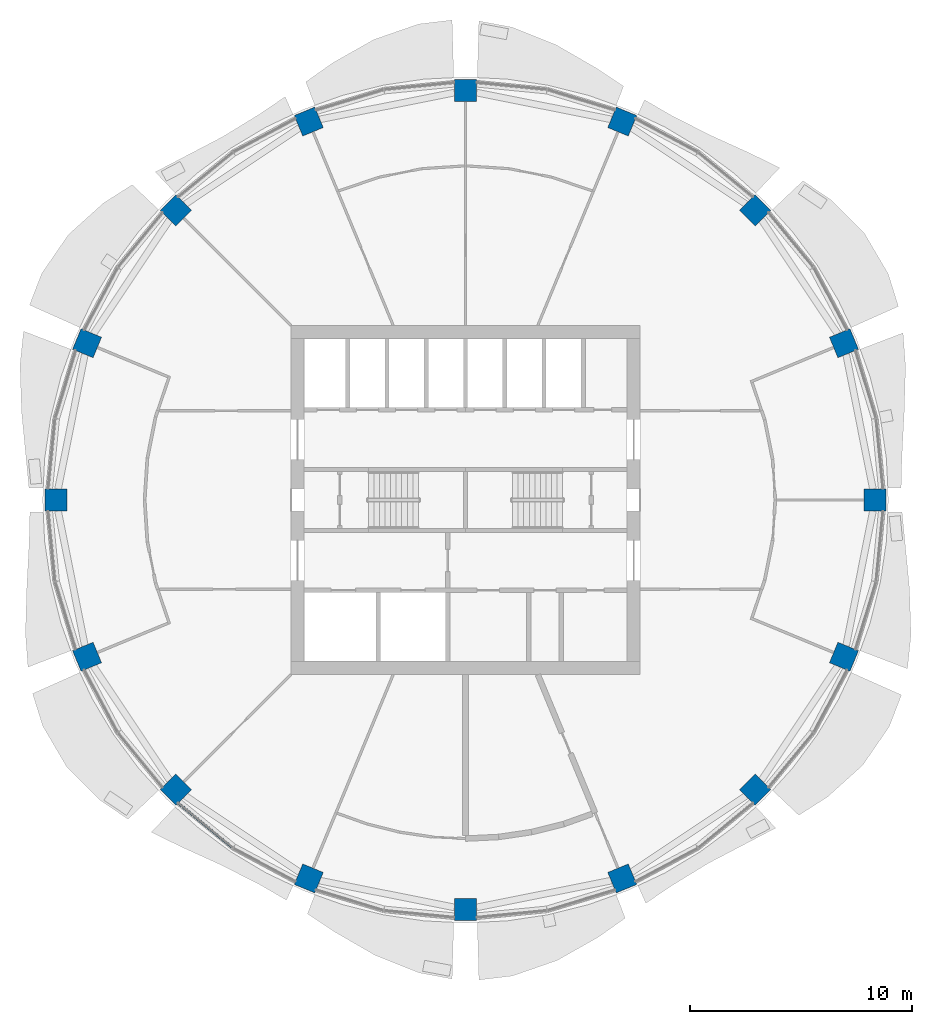
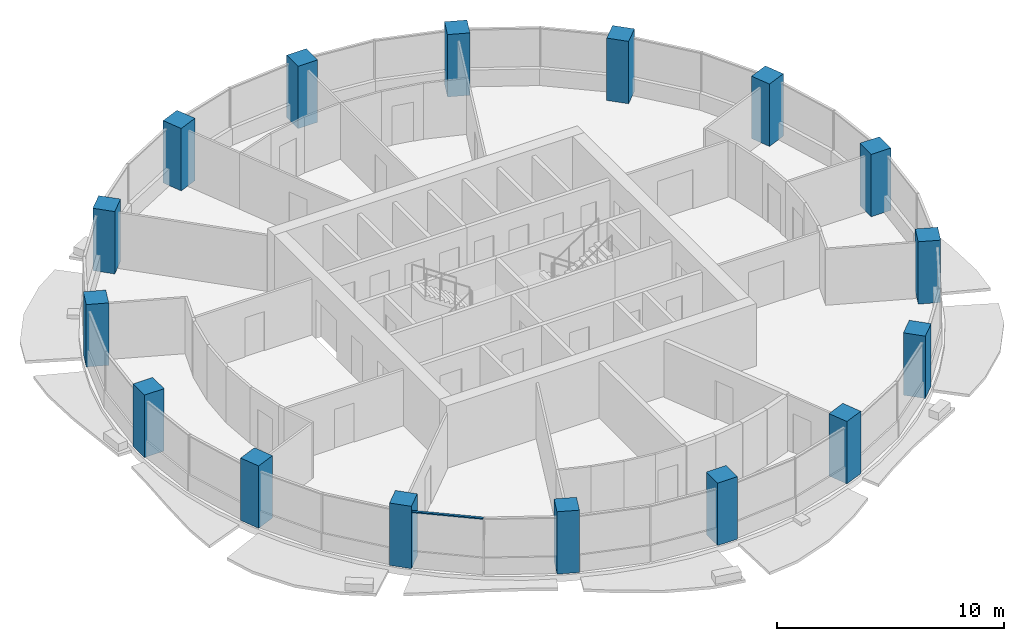
# One storey, part 1 of 15: 16 columns, 1 member, 1 element without a shape of its own.
"""IFC4 building model written with IfcOpenShell, lengths in metres."""

import ifcopenshell
import ifcopenshell.guid

model = None  # the IFC model being written
_history = None  # IfcOwnerHistory: only IFC2X3 demands one
_inside = {}  # id of a spatial element -> (the spatial element, [elements in it])
_under = {}  # id of a project, library or spatial element -> (it, [spatial elements below it])
_declared = {}  # id of a project -> (the project, [libraries it declares])
_typed = {}  # id of a type object -> (the type object, [elements of that type])
_made_of = {}  # id of a material, layer set ... -> (it, [elements and type objects made of it])


def new_model(schema):
    """Start an empty IFC model of exactly this schema.

    Asked for "IFC4X3", IfcOpenShell would pick the latest addendum, in which some entities
    have other attributes; the version numbers below select the first issue.
    IFC2X3 requires an IfcOwnerHistory on every rooted entity: one is made here for all.
    """
    global model, _history
    if schema == "IFC4X3":
        model = ifcopenshell.file(schema_version=(4, 3, 0, 0))
    else:
        model = ifcopenshell.file(schema=schema)
    _inside.clear()
    _under.clear()
    _declared.clear()
    _typed.clear()
    _made_of.clear()
    _history = None
    if model.schema == "IFC2X3":
        org = make("IfcOrganization", Name="unknown")
        user = make(
            "IfcPersonAndOrganization",
            ThePerson=make("IfcPerson", FamilyName="unknown"),
            TheOrganization=org,
        )
        app = make(
            "IfcApplication",
            ApplicationDeveloper=org,
            Version="unknown",
            ApplicationFullName="unknown",
            ApplicationIdentifier="unknown",
        )
        _history = make(
            "IfcOwnerHistory",
            OwningUser=user,
            OwningApplication=app,
            ChangeAction="ADDED",
            CreationDate=0,
        )
    return model


def make(cls, **values):
    """One entity of the class cls with the attributes given. An attribute that is None is left unset."""
    return model.create_entity(
        cls, **{name: value for name, value in values.items() if value is not None}
    )


def rooted(cls, **values):
    """An entity with a GlobalId (a new one), such as an element, a storey or a relation."""
    return make(cls, GlobalId=ifcopenshell.guid.new(), OwnerHistory=_history, **values)


def si_unit(unit_type, name, prefix=None):
    """IfcSIUnit, for example si_unit("LENGTHUNIT", "METRE", prefix="MILLI")."""
    return make("IfcSIUnit", UnitType=unit_type, Prefix=prefix, Name=name)


def assignment(units):
    """IfcUnitAssignment: the units of a project."""
    return None if units is None else make("IfcUnitAssignment", Units=units)


def point(xyz):
    """IfcCartesianPoint."""
    return None if xyz is None else make("IfcCartesianPoint", Coordinates=xyz)


def direction(xyz):
    """IfcDirection."""
    return None if xyz is None else make("IfcDirection", DirectionRatios=xyz)


def frame(location, z_axis=None, x_axis=None):
    """IfcAxis2Placement3D, a coordinate frame: its origin and axes. An axis left out is left unset."""
    return make(
        "IfcAxis2Placement3D",
        Location=point(location),
        Axis=direction(z_axis),
        RefDirection=direction(x_axis),
    )


def frame_2d(location, x_axis=None):
    """IfcAxis2Placement2D, a coordinate frame in the plane: its origin and x axis."""
    return make(
        "IfcAxis2Placement2D", Location=point(location), RefDirection=direction(x_axis)
    )


def origin():
    """The frame at (0, 0, 0) with its axes left unset."""
    return frame((0.0, 0.0, 0.0))


def origin_2d():
    """The frame at (0, 0) in the plane with its x axis left unset."""
    return frame_2d((0.0, 0.0))


def place(relative_to, where):
    """IfcLocalPlacement: puts the frame where relative to a parent placement (None: the world)."""
    return make(
        "IfcLocalPlacement", PlacementRelTo=relative_to, RelativePlacement=where
    )


def context(
    kind, dimensions, precision=None, world=None, true_north=None, identifier=None
):
    """IfcGeometricRepresentationContext, for example the 3D "Model" context."""
    return make(
        "IfcGeometricRepresentationContext",
        ContextIdentifier=identifier,
        ContextType=kind,
        CoordinateSpaceDimension=dimensions,
        Precision=precision,
        WorldCoordinateSystem=world,
        TrueNorth=true_north,
    )


def subcontext(parent, identifier, kind, view, scale=None):
    """IfcGeometricRepresentationSubContext, for example "Body" below "Model"."""
    return make(
        "IfcGeometricRepresentationSubContext",
        ContextIdentifier=identifier,
        ContextType=kind,
        ParentContext=parent,
        TargetScale=scale,
        TargetView=view,
    )


def project(units=None, contexts=None):
    """IfcProject with its units and contexts."""
    return rooted(
        "IfcProject",
        Name="project",
        RepresentationContexts=contexts,
        UnitsInContext=assignment(units),
    )


def spatial(cls, under=None, at=None, **own):
    """A site, building, storey or space (cls), placed at a placement, below another one or the project."""
    s = rooted(cls, ObjectPlacement=at, **own)
    if under is not None:
        _under.setdefault(under.id(), (under, []))[1].append(s)
    return s


def profile(cls, at=None, kind="AREA", **sizes):
    """A parametric profile (cls). Its sizes go by their IFC names, for example OverallWidth=200.0."""
    return make(cls, ProfileType=kind, Position=at, **sizes)


def rectangle(**sizes):
    """IfcRectangleProfileDef."""
    return profile("IfcRectangleProfileDef", **sizes)


def extrude(swept, where, along, depth):
    """IfcExtrudedAreaSolid: the profile swept, set in the frame where, extruded along a direction by depth."""
    return make(
        "IfcExtrudedAreaSolid",
        SweptArea=swept,
        Position=where,
        ExtrudedDirection=direction(along),
        Depth=depth,
    )


def shape(context_of_items, identifier, shape_type, items):
    """IfcShapeRepresentation: the items that make up one representation, for example the "Body"."""
    return make(
        "IfcShapeRepresentation",
        ContextOfItems=context_of_items,
        RepresentationIdentifier=identifier,
        RepresentationType=shape_type,
        Items=items,
    )


def material(Name=None, Category=None):
    """IfcMaterial."""
    return make("IfcMaterial", Name=Name, Category=Category)


def material_profile(
    of_material, cross_section, Name=None, Category=None, Priority=None
):
    """IfcMaterialProfile: a cross section and its material."""
    return make(
        "IfcMaterialProfile",
        Name=Name,
        Material=of_material,
        Profile=cross_section,
        Priority=Priority,
        Category=Category,
    )


def profile_set(profiles, Name=None, composite=None):
    """IfcMaterialProfileSet."""
    return make(
        "IfcMaterialProfileSet",
        Name=Name,
        MaterialProfiles=profiles,
        CompositeProfile=composite,
    )


def made_of(thing, what):
    """Note that an element or type object is made of a material, layer set ...; save() writes the relation."""
    if what is not None:
        _made_of.setdefault(what.id(), (what, []))[1].append(thing)
    return thing


def type_object(cls, material=None, **own):
    """A type object (cls), such as IfcWallType, which elements share."""
    return made_of(rooted(cls, **own), material)


def element(
    cls,
    number,
    at=None,
    inside=None,
    cuts=None,
    type_object=None,
    material=None,
    context=None,
    identifier="Body",
    shape_type=None,
    held_by="IfcProductDefinitionShape",
    body=None,
    shapes=None,
    **own,
):
    """One element of the class cls, such as IfcWall. Its Tag is "e" and its number.

    at: its placement. inside: the storey or other place that contains it. cuts: it is an
    opening in that element (IfcRelVoidsElement). A single representation is given by context,
    identifier, shape_type and body (its items); several are given by shapes. held_by: the class
    of the entity that holds the representations. save() writes the other relations.
    """
    e = rooted(cls, Tag="e%d" % number, ObjectPlacement=at, **own)
    if body is not None:
        shapes = [shape(context, identifier, shape_type, body)]
    if shapes is not None:
        e.Representation = make(held_by, Representations=shapes)
    if inside is not None:
        _inside.setdefault(inside.id(), (inside, []))[1].append(e)
    if cuts is not None:
        rooted(
            "IfcRelVoidsElement", RelatingBuildingElement=cuts, RelatedOpeningElement=e
        )
    if type_object is not None:
        _typed.setdefault(type_object.id(), (type_object, []))[1].append(e)
    return made_of(e, material)


def aggregate(whole, parts):
    """IfcRelAggregates: a whole, such as a stair, and the parts it consists of."""
    return rooted("IfcRelAggregates", RelatingObject=whole, RelatedObjects=parts)


def save(model, path):
    """Write the relations noted so far, then the file.

    IfcRelAggregates (storeys below a building ...), IfcRelContainedInSpatialStructure (elements
    in a storey), IfcRelDefinesByType, IfcRelAssociatesMaterial and IfcRelDeclares: one each for
    every whole, place, type object, material and project.
    """
    for whole, parts in _under.values():
        aggregate(whole, parts)
    for where, things in _inside.values():
        rooted(
            "IfcRelContainedInSpatialStructure",
            RelatedElements=things,
            RelatingStructure=where,
        )
    for kind, things in _typed.values():
        rooted("IfcRelDefinesByType", RelatedObjects=things, RelatingType=kind)
    for what, things in _made_of.values():
        rooted("IfcRelAssociatesMaterial", RelatedObjects=things, RelatingMaterial=what)
    for by, libraries in _declared.values():
        rooted("IfcRelDeclares", RelatingContext=by, RelatedDefinitions=libraries)
    model.write(path)


model = new_model("IFC4")

# Units and contexts
model_context = context("Model", 3, precision=1e-05, world=origin(), true_north=direction((0.0, 1.0)))
body_context = subcontext(model_context, "Body", "Model", "MODEL_VIEW")
ifc_project = project(units=[si_unit("LENGTHUNIT", "METRE"), si_unit("AREAUNIT", "SQUARE_METRE"), si_unit("VOLUMEUNIT", "CUBIC_METRE"), si_unit("PLANEANGLEUNIT", "RADIAN"), si_unit("MASSUNIT", "GRAM", prefix="KILO")], contexts=[model_context])

# Site, building, storey
site_placement = place(None, origin())
site = spatial("IfcSite", under=ifc_project, at=site_placement, CompositionType="ELEMENT")
building_placement = place(site_placement, origin())
building = spatial("IfcBuilding", under=site, at=building_placement, Name="Polderwave Tower", CompositionType="ELEMENT")
storey_placement = place(building_placement, frame((0.0, 0.0, 127.64990234375)))
storey = spatial("IfcBuildingStorey", under=building, at=storey_placement, Name="L33", CompositionType="ELEMENT", Elevation=127.64990234375)

# Columns
ifc_material_1 = material(Name="Concrete C60/75", Category="concrete")
ifc_material_profile_1 = material_profile(ifc_material_1, rectangle(XDim=1.0, YDim=1.0, at=origin_2d()), Name="RC 1000x1000")
ifc_profile_set_1 = profile_set([ifc_material_profile_1], Name="Concrete C60/75")
column_type = type_object("IfcColumnType", Name="RC COLUMN 1000x1000 C60/75", PredefinedType="COLUMN", material=ifc_profile_set_1)
for number, where, z_axis, x_axis, name in (
    (1, (18.4599609375, 0.0, 0.0), (0.0, 0.0, 1.0), (1.0, 0.0, 0.0), "Ring column 01"),
    (2, (17.054931640625, 7.064453125, 0.0), (0.0, 0.0, 1.0), (0.923879532511, 0.382683432365, 0.0), "Ring column 02"),
    (3, (13.05322265625, 13.05322265625, 0.0), (0.0, 0.0, 1.0), (0.707106781187, 0.707106781187, 0.0), "Ring column 03"),
    (4, (7.064453125, 17.054931640625, 0.0), (0.0, 0.0, 1.0), (0.382683432365, 0.923879532511, 0.0), "Ring column 04"),
    (5, (0.0, 18.4599609375, 0.0), (0.0, 0.0, 1.0), (0.0, 1.0, 0.0), "Ring column 05"),
    (6, (-7.064453125, 17.054931640625, 0.0), (0.0, 0.0, 1.0), (-0.382683432365, 0.923879532511, 0.0), "Ring column 06"),
    (7, (-13.05322265625, 13.05322265625, 0.0), (0.0, 0.0, 1.0), (-0.707106781187, 0.707106781187, 0.0), "Ring column 07"),
    (8, (-17.054931640625, 7.064453125, 0.0), (0.0, 0.0, 1.0), (-0.923879532511, 0.382683432365, 0.0), "Ring column 08"),
    (9, (-18.4599609375, 0.0, 0.0), (0.0, 0.0, 1.0), (-1.0, 0.0, 0.0), "Ring column 09"),
    (10, (-17.054931640625, -7.064453125, 0.0), (0.0, 0.0, 1.0), (-0.923879532511, -0.382683432365, 0.0), "Ring column 10"),
    (11, (-13.05322265625, -13.05322265625, 0.0), (0.0, 0.0, 1.0), (-0.707106781187, -0.707106781187, 0.0), "Ring column 11"),
    (12, (-7.064453125, -17.054931640625, 0.0), (0.0, 0.0, 1.0), (-0.382683432365, -0.923879532511, 0.0), "Ring column 12"),
    (13, (0.0, -18.4599609375, 0.0), (0.0, 0.0, 1.0), (0.0, -1.0, 0.0), "Ring column 13"),
    (14, (7.064453125, -17.054931640625, 0.0), (0.0, 0.0, 1.0), (0.382683432365, -0.923879532511, 0.0), "Ring column 14"),
    (15, (13.05322265625, -13.05322265625, 0.0), (0.0, 0.0, 1.0), (0.707106781187, -0.707106781187, 0.0), "Ring column 15"),
    (16, (17.054931640625, -7.064453125, 0.0), (0.0, 0.0, 1.0), (0.923879532511, -0.382683432365, 0.0), "Ring column 16"),
):
    element("IfcColumn", number, at=place(storey_placement, frame(where, z_axis=z_axis, x_axis=x_axis)), inside=storey, type_object=column_type, Name=name, PredefinedType="COLUMN", context=body_context, shape_type="SweptSolid", body=[
        extrude(rectangle(XDim=1.0, YDim=1.0, at=origin_2d()), origin(), (0.0, 0.0, 1.0), 3.35009765625),
    ])

# Curtain wall, member
ifc_material_2 = material(Name="Aluminium 6063-T6 and glass", Category="aluminium")
curtain_wall_type = type_object("IfcCurtainWallType", Name="Office ribbon glazing wall", PredefinedType="NOTDEFINED", material=ifc_material_2)
curtain_wall_placement = place(storey_placement, origin())
curtain_wall = element("IfcCurtainWall", 17, at=curtain_wall_placement, inside=storey, type_object=curtain_wall_type, Name="CW3 L33 10", PredefinedType="NOTDEFINED")
ifc_material_3 = material(Name="Aluminium 6063-T6", Category="aluminium")
ifc_material_profile_2 = material_profile(ifc_material_3, rectangle(XDim=0.1201171875, YDim=0.06005859375, at=origin_2d()), Name="AL 60x120")
ifc_profile_set_2 = profile_set([ifc_material_profile_2], Name="Aluminium 6063-T6")
member_type = type_object("IfcMemberType", Name="Office ribbon glazing transom 60x120", PredefinedType="USERDEFINED", material=ifc_profile_set_2)
member_placement = place(storey_placement, frame((-12.947998046875, -13.655029296875, 2.97021484375), z_axis=(0.773025883871, -0.634374481569, 0.0), x_axis=(0.634374481569, 0.773025883871, 0.0)))
member = element("IfcMember", 18, at=member_placement, type_object=member_type, Name="CW3 transom 1", ObjectType="TRANSOM", PredefinedType="USERDEFINED", context=body_context, shape_type="SweptSolid", body=[
    extrude(rectangle(XDim=0.1201171875, YDim=0.06005859375, at=origin_2d()), origin(), (0.0, 0.0, 1.0), 3.167724609375),
])
aggregate(curtain_wall, [member])

save(model, "model.ifc")
